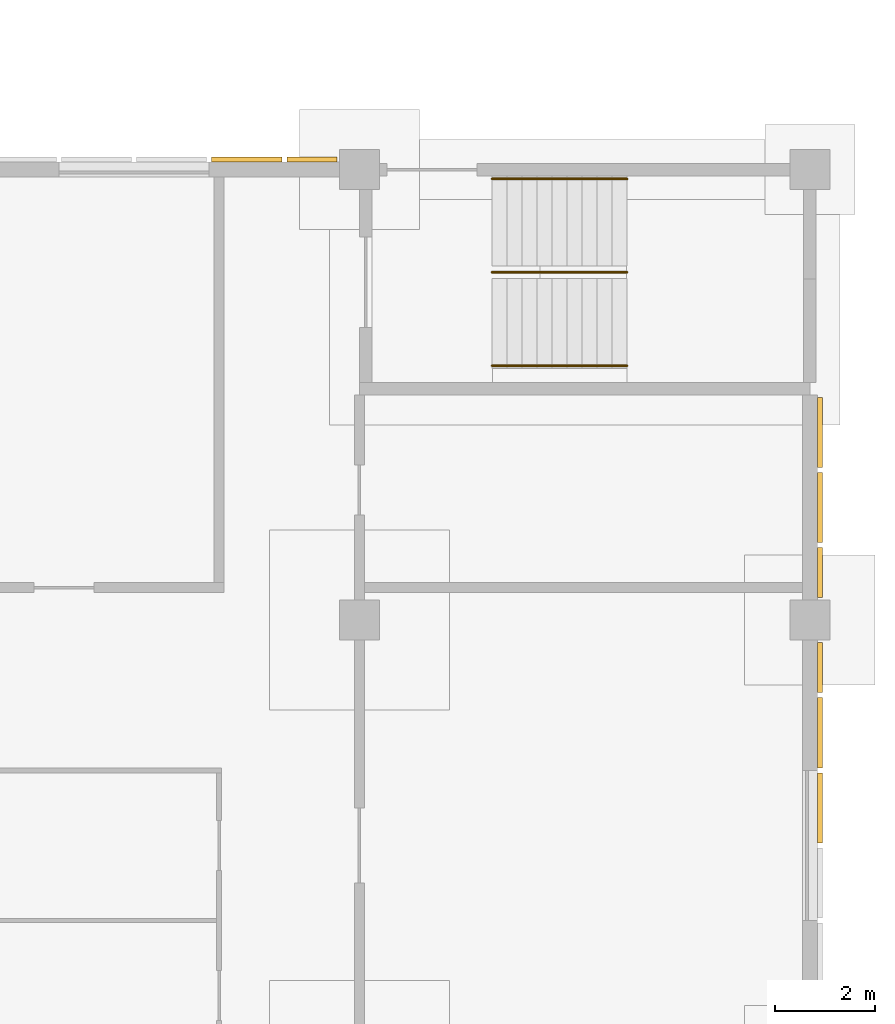
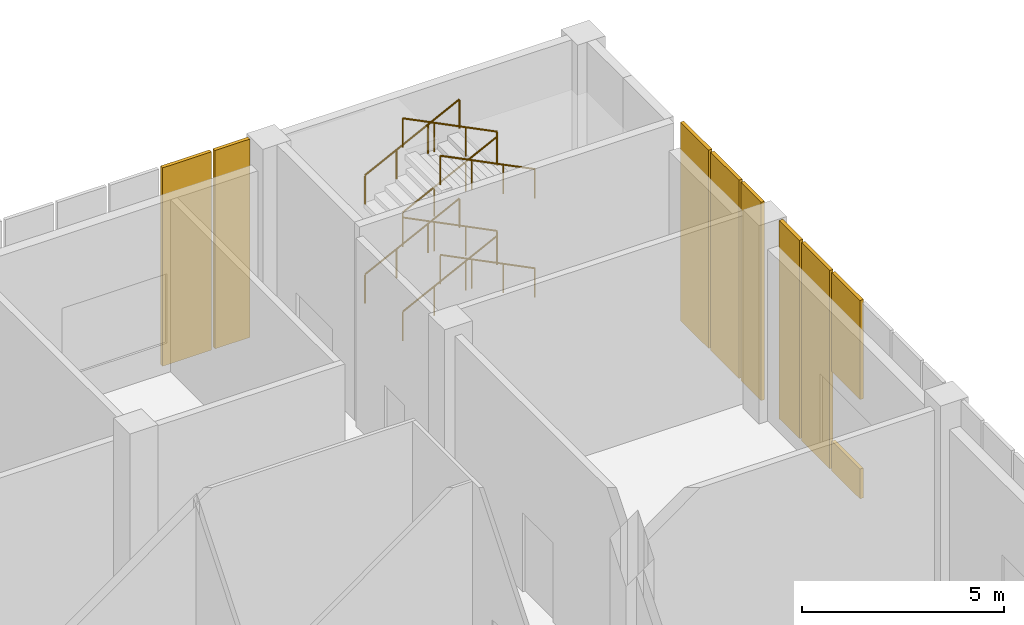
# One storey, part 84 of 86: 9 coverings, 8 railings.
"""IFC4 building model written with IfcOpenShell, lengths in metres."""

import ifcopenshell
import ifcopenshell.guid

model = None  # the IFC model being written
_history = None  # IfcOwnerHistory: only IFC2X3 demands one
_inside = {}  # id of a spatial element -> (the spatial element, [elements in it])
_under = {}  # id of a project, library or spatial element -> (it, [spatial elements below it])
_declared = {}  # id of a project -> (the project, [libraries it declares])
_typed = {}  # id of a type object -> (the type object, [elements of that type])
_made_of = {}  # id of a material, layer set ... -> (it, [elements and type objects made of it])


def new_model(schema):
    """Start an empty IFC model of exactly this schema.

    Asked for "IFC4X3", IfcOpenShell would pick the latest addendum, in which some entities
    have other attributes; the version numbers below select the first issue.
    IFC2X3 requires an IfcOwnerHistory on every rooted entity: one is made here for all.
    """
    global model, _history
    if schema == "IFC4X3":
        model = ifcopenshell.file(schema_version=(4, 3, 0, 0))
    else:
        model = ifcopenshell.file(schema=schema)
    _inside.clear()
    _under.clear()
    _declared.clear()
    _typed.clear()
    _made_of.clear()
    _history = None
    if model.schema == "IFC2X3":
        org = make("IfcOrganization", Name="unknown")
        user = make(
            "IfcPersonAndOrganization",
            ThePerson=make("IfcPerson", FamilyName="unknown"),
            TheOrganization=org,
        )
        app = make(
            "IfcApplication",
            ApplicationDeveloper=org,
            Version="unknown",
            ApplicationFullName="unknown",
            ApplicationIdentifier="unknown",
        )
        _history = make(
            "IfcOwnerHistory",
            OwningUser=user,
            OwningApplication=app,
            ChangeAction="ADDED",
            CreationDate=0,
        )
    return model


def make(cls, **values):
    """One entity of the class cls with the attributes given. An attribute that is None is left unset."""
    return model.create_entity(
        cls, **{name: value for name, value in values.items() if value is not None}
    )


def rooted(cls, **values):
    """An entity with a GlobalId (a new one), such as an element, a storey or a relation."""
    return make(cls, GlobalId=ifcopenshell.guid.new(), OwnerHistory=_history, **values)


def si_unit(unit_type, name, prefix=None):
    """IfcSIUnit, for example si_unit("LENGTHUNIT", "METRE", prefix="MILLI")."""
    return make("IfcSIUnit", UnitType=unit_type, Prefix=prefix, Name=name)


def assignment(units):
    """IfcUnitAssignment: the units of a project."""
    return None if units is None else make("IfcUnitAssignment", Units=units)


def point(xyz):
    """IfcCartesianPoint."""
    return None if xyz is None else make("IfcCartesianPoint", Coordinates=xyz)


def direction(xyz):
    """IfcDirection."""
    return None if xyz is None else make("IfcDirection", DirectionRatios=xyz)


def frame(location, z_axis=None, x_axis=None):
    """IfcAxis2Placement3D, a coordinate frame: its origin and axes. An axis left out is left unset."""
    return make(
        "IfcAxis2Placement3D",
        Location=point(location),
        Axis=direction(z_axis),
        RefDirection=direction(x_axis),
    )


def frame_2d(location, x_axis=None):
    """IfcAxis2Placement2D, a coordinate frame in the plane: its origin and x axis."""
    return make(
        "IfcAxis2Placement2D", Location=point(location), RefDirection=direction(x_axis)
    )


def origin():
    """The frame at (0, 0, 0) with its axes left unset."""
    return frame((0.0, 0.0, 0.0))


def origin_2d():
    """The frame at (0, 0) in the plane with its x axis left unset."""
    return frame_2d((0.0, 0.0))


def place(relative_to, where):
    """IfcLocalPlacement: puts the frame where relative to a parent placement (None: the world)."""
    return make(
        "IfcLocalPlacement", PlacementRelTo=relative_to, RelativePlacement=where
    )


def context(
    kind, dimensions, precision=None, world=None, true_north=None, identifier=None
):
    """IfcGeometricRepresentationContext, for example the 3D "Model" context."""
    return make(
        "IfcGeometricRepresentationContext",
        ContextIdentifier=identifier,
        ContextType=kind,
        CoordinateSpaceDimension=dimensions,
        Precision=precision,
        WorldCoordinateSystem=world,
        TrueNorth=true_north,
    )


def subcontext(parent, identifier, kind, view, scale=None):
    """IfcGeometricRepresentationSubContext, for example "Body" below "Model"."""
    return make(
        "IfcGeometricRepresentationSubContext",
        ContextIdentifier=identifier,
        ContextType=kind,
        ParentContext=parent,
        TargetScale=scale,
        TargetView=view,
    )


def project(units=None, contexts=None):
    """IfcProject with its units and contexts."""
    return rooted(
        "IfcProject",
        Name="project",
        RepresentationContexts=contexts,
        UnitsInContext=assignment(units),
    )


def spatial(cls, under=None, at=None, **own):
    """A site, building, storey or space (cls), placed at a placement, below another one or the project."""
    s = rooted(cls, ObjectPlacement=at, **own)
    if under is not None:
        _under.setdefault(under.id(), (under, []))[1].append(s)
    return s


def profile(cls, at=None, kind="AREA", **sizes):
    """A parametric profile (cls). Its sizes go by their IFC names, for example OverallWidth=200.0."""
    return make(cls, ProfileType=kind, Position=at, **sizes)


def rectangle(**sizes):
    """IfcRectangleProfileDef."""
    return profile("IfcRectangleProfileDef", **sizes)


def circle(**sizes):
    """IfcCircleProfileDef."""
    return profile("IfcCircleProfileDef", **sizes)


def extrude(swept, where, along, depth):
    """IfcExtrudedAreaSolid: the profile swept, set in the frame where, extruded along a direction by depth."""
    return make(
        "IfcExtrudedAreaSolid",
        SweptArea=swept,
        Position=where,
        ExtrudedDirection=direction(along),
        Depth=depth,
    )


def shape(context_of_items, identifier, shape_type, items):
    """IfcShapeRepresentation: the items that make up one representation, for example the "Body"."""
    return make(
        "IfcShapeRepresentation",
        ContextOfItems=context_of_items,
        RepresentationIdentifier=identifier,
        RepresentationType=shape_type,
        Items=items,
    )


def material(Name=None, Category=None):
    """IfcMaterial."""
    return make("IfcMaterial", Name=Name, Category=Category)


def layer(
    of_material, thickness, ventilated=None, Name=None, Category=None, Priority=None
):
    """IfcMaterialLayer: one layer of a wall or slab, of a material (None: an air gap)."""
    return make(
        "IfcMaterialLayer",
        Material=of_material,
        LayerThickness=thickness,
        IsVentilated=ventilated,
        Name=Name,
        Category=Category,
        Priority=Priority,
    )


def layer_set(layers, Name=None):
    """IfcMaterialLayerSet."""
    return make("IfcMaterialLayerSet", MaterialLayers=layers, LayerSetName=Name)


def made_of(thing, what):
    """Note that an element or type object is made of a material, layer set ...; save() writes the relation."""
    if what is not None:
        _made_of.setdefault(what.id(), (what, []))[1].append(thing)
    return thing


def type_object(cls, material=None, **own):
    """A type object (cls), such as IfcWallType, which elements share."""
    return made_of(rooted(cls, **own), material)


def element(
    cls,
    number,
    at=None,
    inside=None,
    cuts=None,
    type_object=None,
    material=None,
    context=None,
    identifier="Body",
    shape_type=None,
    held_by="IfcProductDefinitionShape",
    body=None,
    shapes=None,
    **own,
):
    """One element of the class cls, such as IfcWall. Its Tag is "e" and its number.

    at: its placement. inside: the storey or other place that contains it. cuts: it is an
    opening in that element (IfcRelVoidsElement). A single representation is given by context,
    identifier, shape_type and body (its items); several are given by shapes. held_by: the class
    of the entity that holds the representations. save() writes the other relations.
    """
    e = rooted(cls, Tag="e%d" % number, ObjectPlacement=at, **own)
    if body is not None:
        shapes = [shape(context, identifier, shape_type, body)]
    if shapes is not None:
        e.Representation = make(held_by, Representations=shapes)
    if inside is not None:
        _inside.setdefault(inside.id(), (inside, []))[1].append(e)
    if cuts is not None:
        rooted(
            "IfcRelVoidsElement", RelatingBuildingElement=cuts, RelatedOpeningElement=e
        )
    if type_object is not None:
        _typed.setdefault(type_object.id(), (type_object, []))[1].append(e)
    return made_of(e, material)


def aggregate(whole, parts):
    """IfcRelAggregates: a whole, such as a stair, and the parts it consists of."""
    return rooted("IfcRelAggregates", RelatingObject=whole, RelatedObjects=parts)


def save(model, path):
    """Write the relations noted so far, then the file.

    IfcRelAggregates (storeys below a building ...), IfcRelContainedInSpatialStructure (elements
    in a storey), IfcRelDefinesByType, IfcRelAssociatesMaterial and IfcRelDeclares: one each for
    every whole, place, type object, material and project.
    """
    for whole, parts in _under.values():
        aggregate(whole, parts)
    for where, things in _inside.values():
        rooted(
            "IfcRelContainedInSpatialStructure",
            RelatedElements=things,
            RelatingStructure=where,
        )
    for kind, things in _typed.values():
        rooted("IfcRelDefinesByType", RelatedObjects=things, RelatingType=kind)
    for what, things in _made_of.values():
        rooted("IfcRelAssociatesMaterial", RelatedObjects=things, RelatingMaterial=what)
    for by, libraries in _declared.values():
        rooted("IfcRelDeclares", RelatingContext=by, RelatedDefinitions=libraries)
    model.write(path)


model = new_model("IFC4")

# Units and contexts
model_context = context("Model", 3, precision=1e-05, world=origin(), true_north=direction((0.0, 1.0)))
body_context = subcontext(model_context, "Body", "Model", "MODEL_VIEW")
ifc_project = project(units=[si_unit("LENGTHUNIT", "METRE"), si_unit("AREAUNIT", "SQUARE_METRE"), si_unit("VOLUMEUNIT", "CUBIC_METRE"), si_unit("PLANEANGLEUNIT", "RADIAN"), si_unit("MASSUNIT", "GRAM", prefix="KILO")], contexts=[model_context])

# Site, building, storey
site_placement = place(None, origin())
site = spatial("IfcSite", under=ifc_project, at=site_placement, CompositionType="ELEMENT")
building_placement = place(site_placement, origin())
building = spatial("IfcBuilding", under=site, at=building_placement, Name="Guidao Yard Department Store", CompositionType="ELEMENT")
storey_placement = place(building_placement, origin())
storey = spatial("IfcBuildingStorey", under=building, at=storey_placement, Name="L00", CompositionType="ELEMENT", Elevation=0.0)

# Coverings
ifc_material_1 = material(Name="Clinker brick", Category="masonry")
ifc_layer = layer(ifc_material_1, 0.10009765625)
ifc_layer_set = layer_set([ifc_layer], Name="Clinker brick panel BR1 on rainscreen")
covering_type = type_object("IfcCoveringType", Name="Clinker brick panel BR1 on rainscreen", PredefinedType="CLADDING", material=ifc_layer_set)
covering_1_placement = place(storey_placement, frame((159.75, 108.199951171875, 0.0), z_axis=(0.0, 0.0, 1.0), x_axis=(1.0, 0.0, 0.0)))
element("IfcCovering", 1, at=covering_1_placement, inside=storey, type_object=covering_type, Name="Clinker brick panel", PredefinedType="CLADDING", context=body_context, shape_type="SweptSolid", body=[
    extrude(rectangle(XDim=1.39990234375, YDim=0.10009765625, at=origin_2d()), origin(), (0.0, 0.0, 1.0), 6.0),
])
covering_2_placement = place(storey_placement, frame((161.050048828125, 108.199951171875, 0.0), z_axis=(0.0, 0.0, 1.0), x_axis=(1.0, 0.0, 0.0)))
element("IfcCovering", 2, at=covering_2_placement, inside=storey, type_object=covering_type, Name="Clinker brick panel", PredefinedType="CLADDING", context=body_context, shape_type="SweptSolid", body=[
    extrude(rectangle(XDim=1.0, YDim=0.10009765625, at=origin_2d()), origin(), (0.0, 0.0, 1.0), 6.0),
])
covering_3_placement = place(storey_placement, frame((171.199951171875, 95.25, 0.0), z_axis=(0.0, 0.0, 1.0), x_axis=(0.0, -1.0, 0.0)))
element("IfcCovering", 3, at=covering_3_placement, inside=storey, type_object=covering_type, Name="Clinker brick panel", PredefinedType="CLADDING", context=body_context, shape_type="SweptSolid", body=[
    extrude(rectangle(XDim=1.39990234375, YDim=0.10009765625, at=origin_2d()), origin(), (0.0, 0.0, 1.0), 0.89990234375),
])
covering_4_placement = place(storey_placement, frame((171.199951171875, 95.25, 3.0), z_axis=(0.0, 0.0, 1.0), x_axis=(0.0, -1.0, 0.0)))
element("IfcCovering", 4, at=covering_4_placement, inside=storey, type_object=covering_type, Name="Clinker brick panel", PredefinedType="CLADDING", context=body_context, shape_type="SweptSolid", body=[
    extrude(rectangle(XDim=1.39990234375, YDim=0.10009765625, at=origin_2d()), origin(), (0.0, 0.0, 1.0), 3.0),
])
covering_5_placement = place(storey_placement, frame((171.199951171875, 96.75, 0.0), z_axis=(0.0, 0.0, 1.0), x_axis=(0.0, -1.0, 0.0)))
element("IfcCovering", 5, at=covering_5_placement, inside=storey, type_object=covering_type, Name="Clinker brick panel", PredefinedType="CLADDING", context=body_context, shape_type="SweptSolid", body=[
    extrude(rectangle(XDim=1.39990234375, YDim=0.10009765625, at=origin_2d()), origin(), (0.0, 0.0, 1.0), 6.0),
])
for number, where, z_axis, x_axis, name in (
    (6, (171.199951171875, 98.050048828125, 0.0), (0.0, 0.0, 1.0), (0.0, -1.0, 0.0), "Clinker brick panel"),
    (7, (171.199951171875, 99.949951171875, 0.0), (0.0, 0.0, 1.0), (0.0, -1.0, 0.0), "Clinker brick panel"),
):
    element("IfcCovering", number, at=place(storey_placement, frame(where, z_axis=z_axis, x_axis=x_axis)), inside=storey, type_object=covering_type, Name=name, PredefinedType="CLADDING", context=body_context, shape_type="SweptSolid", body=[
        extrude(rectangle(XDim=1.0, YDim=0.10009765625, at=origin_2d()), origin(), (0.0, 0.0, 1.0), 6.0),
    ])
for number, where, z_axis, x_axis, name in (
    (8, (171.199951171875, 101.25, 0.0), (0.0, 0.0, 1.0), (0.0, -1.0, 0.0), "Clinker brick panel"),
    (9, (171.199951171875, 102.75, 0.0), (0.0, 0.0, 1.0), (0.0, -1.0, 0.0), "Clinker brick panel"),
):
    element("IfcCovering", number, at=place(storey_placement, frame(where, z_axis=z_axis, x_axis=x_axis)), inside=storey, type_object=covering_type, Name=name, PredefinedType="CLADDING", context=body_context, shape_type="SweptSolid", body=[
        extrude(rectangle(XDim=1.39990234375, YDim=0.10009765625, at=origin_2d()), origin(), (0.0, 0.0, 1.0), 6.0),
    ])

# Railings
ifc_material_2 = material(Name="Steel Q235", Category="steel")
railing_type = type_object("IfcRailingType", Name="Handrail steel tube 48", PredefinedType="HANDRAIL", material=ifc_material_2)
for number, where, name in (
    (10, (164.64990234375, 107.81494140625, 0.14990234375), "Stair F2 hand rail L00 65"),
    (11, (164.64990234375, 105.949951171875, 0.14990234375), "Stair F2 hand rail L00 66"),
):
    element("IfcRailing", number, at=place(storey_placement, frame(where)), inside=storey, type_object=railing_type, Name=name, PredefinedType="HANDRAIL", context=body_context, shape_type="SweptSolid", body=[
        extrude(circle(Radius=0.02392578125, at=origin_2d()), frame((0.0, 0.0, 0.8759765625), z_axis=(0.894427191, 0.0, 0.4472135955), x_axis=(0.0, 1.0, 0.0)), (0.0, 0.0, 1.0), 3.018798828125),
        extrude(circle(Radius=0.02099609375, at=origin_2d()), origin(), (0.0, 0.0, 1.0), 0.851806640625),
        extrude(circle(Radius=0.02099609375, at=origin_2d()), frame((0.900146484375, 0.0, 0.449951171875)), (0.0, 0.0, 1.0), 0.851806640625),
        extrude(circle(Radius=0.02099609375, at=origin_2d()), frame((1.800048828125, 0.0, 0.900146484375)), (0.0, 0.0, 1.0), 0.851806640625),
        extrude(circle(Radius=0.02099609375, at=origin_2d()), frame((2.7001953125, 0.0, 1.35009765625)), (0.0, 0.0, 1.0), 0.851806640625),
    ])
for number, where, name in (
    (12, (167.35009765625, 104.0849609375, 1.64990234375), "Stair F2 hand rail L00 67"),
    (13, (167.35009765625, 105.949951171875, 1.64990234375), "Stair F2 hand rail L00 68"),
):
    element("IfcRailing", number, at=place(storey_placement, frame(where)), inside=storey, type_object=railing_type, Name=name, PredefinedType="HANDRAIL", context=body_context, shape_type="SweptSolid", body=[
        extrude(circle(Radius=0.02392578125, at=origin_2d()), frame((0.0, 0.0, 0.8759765625), z_axis=(-0.894427191, 0.0, 0.4472135955), x_axis=(0.0, -1.0, 0.0)), (0.0, 0.0, 1.0), 3.018798828125),
        extrude(circle(Radius=0.02099609375, at=origin_2d()), origin(), (0.0, 0.0, 1.0), 0.851806640625),
        extrude(circle(Radius=0.02099609375, at=origin_2d()), frame((-0.900146484375, 0.0, 0.449951171875)), (0.0, 0.0, 1.0), 0.851806640625),
        extrude(circle(Radius=0.02099609375, at=origin_2d()), frame((-1.800048828125, 0.0, 0.900146484375)), (0.0, 0.0, 1.0), 0.851806640625),
        extrude(circle(Radius=0.02099609375, at=origin_2d()), frame((-2.7001953125, 0.0, 1.35009765625)), (0.0, 0.0, 1.0), 0.851806640625),
    ])
for number, where, name in (
    (14, (164.64990234375, 107.81494140625, 3.14990234375), "Stair F2 hand rail L00 69"),
    (15, (164.64990234375, 105.949951171875, 3.14990234375), "Stair F2 hand rail L00 70"),
):
    element("IfcRailing", number, at=place(storey_placement, frame(where)), inside=storey, type_object=railing_type, Name=name, PredefinedType="HANDRAIL", context=body_context, shape_type="SweptSolid", body=[
        extrude(circle(Radius=0.02392578125, at=origin_2d()), frame((0.0, 0.0, 0.8759765625), z_axis=(0.894427191, 0.0, 0.4472135955), x_axis=(0.0, 1.0, 0.0)), (0.0, 0.0, 1.0), 3.018798828125),
        extrude(circle(Radius=0.02099609375, at=origin_2d()), origin(), (0.0, 0.0, 1.0), 0.851806640625),
        extrude(circle(Radius=0.02099609375, at=origin_2d()), frame((0.900146484375, 0.0, 0.449951171875)), (0.0, 0.0, 1.0), 0.851806640625),
        extrude(circle(Radius=0.02099609375, at=origin_2d()), frame((1.800048828125, 0.0, 0.900146484375)), (0.0, 0.0, 1.0), 0.851806640625),
        extrude(circle(Radius=0.02099609375, at=origin_2d()), frame((2.7001953125, 0.0, 1.35009765625)), (0.0, 0.0, 1.0), 0.851806640625),
    ])
for number, where, name in (
    (16, (167.35009765625, 104.0849609375, 4.64990234375), "Stair F2 hand rail L00 71"),
    (17, (167.35009765625, 105.949951171875, 4.64990234375), "Stair F2 hand rail L00 72"),
):
    element("IfcRailing", number, at=place(storey_placement, frame(where)), inside=storey, type_object=railing_type, Name=name, PredefinedType="HANDRAIL", context=body_context, shape_type="SweptSolid", body=[
        extrude(circle(Radius=0.02392578125, at=origin_2d()), frame((0.0, 0.0, 0.8759765625), z_axis=(-0.894427191, 0.0, 0.4472135955), x_axis=(0.0, -1.0, 0.0)), (0.0, 0.0, 1.0), 3.018798828125),
        extrude(circle(Radius=0.02099609375, at=origin_2d()), origin(), (0.0, 0.0, 1.0), 0.851806640625),
        extrude(circle(Radius=0.02099609375, at=origin_2d()), frame((-0.900146484375, 0.0, 0.449951171875)), (0.0, 0.0, 1.0), 0.851806640625),
        extrude(circle(Radius=0.02099609375, at=origin_2d()), frame((-1.800048828125, 0.0, 0.900146484375)), (0.0, 0.0, 1.0), 0.851806640625),
        extrude(circle(Radius=0.02099609375, at=origin_2d()), frame((-2.7001953125, 0.0, 1.35009765625)), (0.0, 0.0, 1.0), 0.851806640625),
    ])

save(model, "model.ifc")
